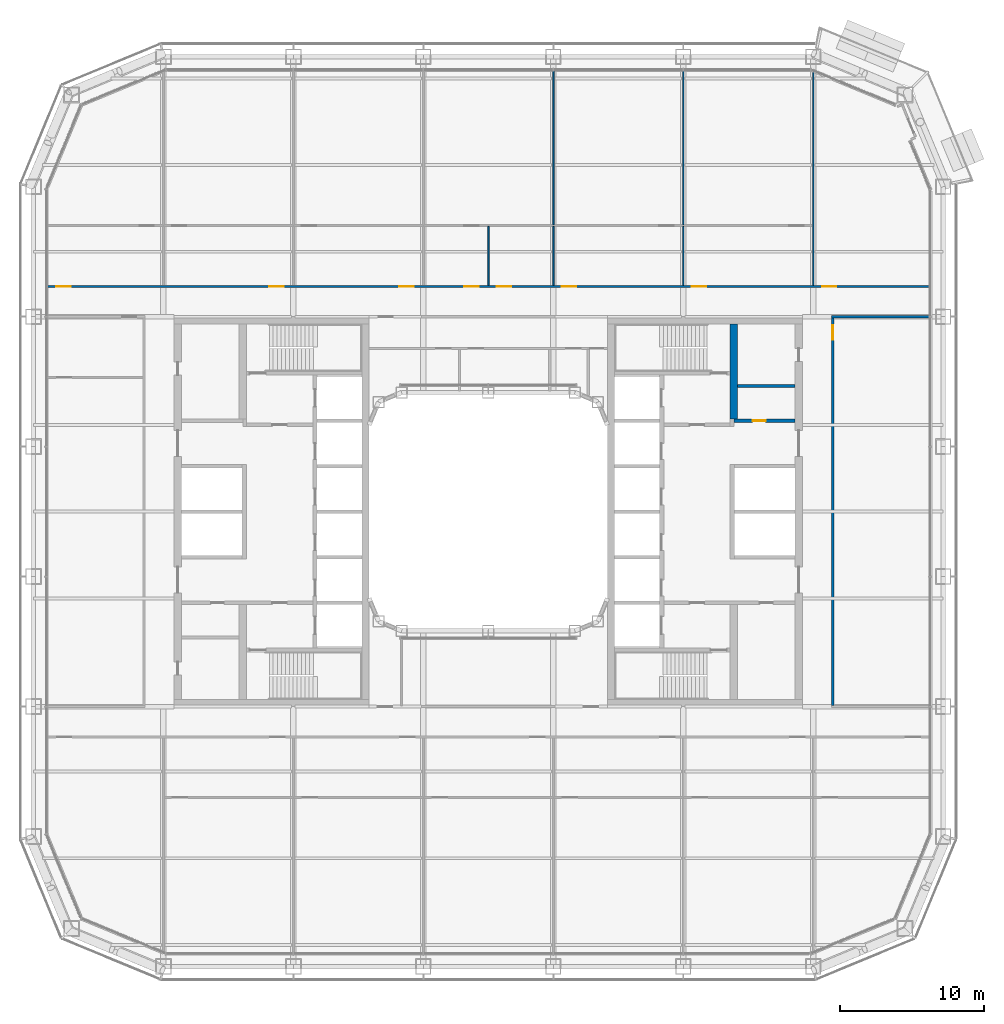
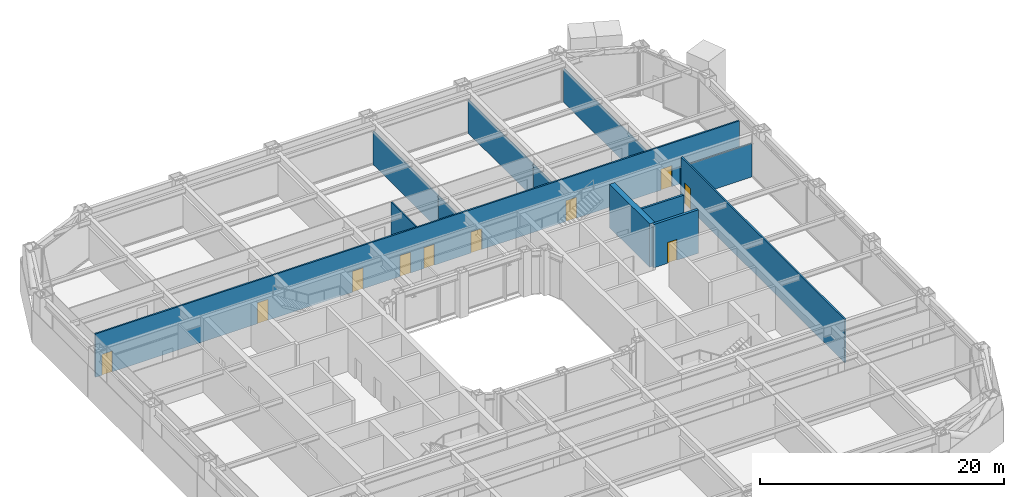
# One storey, part 16 of 30: 12 walls, 10 doors, 10 openings.
"""IFC4 building model written with IfcOpenShell, lengths in metres."""

from ifc_helpers import new_model, si_unit, direction, frame, frame_2d, origin, place, context, subcontext, project, spatial, rectangle, extrude, material, layer, layer_set, type_object, element, fill, save


model = new_model("IFC4")

# Units and contexts
model_context = context("Model", 3, precision=1e-05, world=origin(), true_north=direction((0.0, 1.0)))
body_context = subcontext(model_context, "Body", "Model", "MODEL_VIEW")
ifc_project = project(units=[si_unit("LENGTHUNIT", "METRE"), si_unit("AREAUNIT", "SQUARE_METRE"), si_unit("VOLUMEUNIT", "CUBIC_METRE"), si_unit("PLANEANGLEUNIT", "RADIAN"), si_unit("MASSUNIT", "GRAM", prefix="KILO")], contexts=[model_context])

# Site, building, storey
site_placement = place(None, origin())
site = spatial("IfcSite", under=ifc_project, at=site_placement, CompositionType="ELEMENT")
building_placement = place(site_placement, origin())
building = spatial("IfcBuilding", under=site, at=building_placement, Name="Siwar Civic Tower", CompositionType="ELEMENT")
storey_placement = place(building_placement, frame((0.0, 0.0, 26.699951171875)))
storey = spatial("IfcBuildingStorey", under=building, at=storey_placement, Name="L05", CompositionType="ELEMENT", Elevation=26.699951171875)

# Wall
ifc_material_1 = material(Name="Gypsum board on steel studs", Category="steel")
ifc_layer_1 = layer(ifc_material_1, 0.199951171875)
ifc_layer_set_1 = layer_set([ifc_layer_1], Name="Gypsum board on steel studs")
wall_type_1 = type_object("IfcWallType", Name="CORE-PARTITION-200", PredefinedType="PARTITIONING", material=ifc_layer_set_1)
wall_1_placement = place(storey_placement, frame((17.25, 8.699951171875, 0.0), z_axis=(0.0, 0.0, 1.0), x_axis=(1.0, 0.0, 0.0)))
element("IfcWall", 1, at=wall_1_placement, inside=storey, type_object=wall_type_1, Name="Core partition E", PredefinedType="PARTITIONING", context=body_context, shape_type="SweptSolid", body=[
    extrude(rectangle(XDim=4.0, YDim=0.199951171875, at=frame_2d((2.0, 0.0))), origin(), (0.0, 0.0, 1.0), 4.35009765625),
])

# Wall, opening, door
ifc_material_2 = material(Name="Concrete C60/75", Category="concrete")
ifc_layer_2 = layer(ifc_material_2, 0.25)
ifc_layer_set_2 = layer_set([ifc_layer_2], Name="Concrete C60/75")
wall_type_2 = type_object("IfcWallType", Name="CORE-WALL-RC250", PredefinedType="SHEAR", material=ifc_layer_set_2)
wall_2_placement = place(storey_placement, frame((17.0, 6.300048828125, 0.0), z_axis=(0.0, 0.0, 1.0), x_axis=(1.0, 0.0, 0.0)))
wall_2 = element("IfcWall", 2, at=wall_2_placement, inside=storey, type_object=wall_type_2, Name="Core wall E", PredefinedType="SHEAR", context=body_context, shape_type="SweptSolid", body=[
    extrude(rectangle(XDim=4.25, YDim=0.25, at=frame_2d((2.125, 0.0))), origin(), (0.0, 0.0, 1.0), 4.35009765625),
])
opening_1_placement = place(wall_2_placement, frame((1.300048828125, 0.0, 0.0)))
opening_1 = element("IfcOpeningElement", 3, at=opening_1_placement, cuts=wall_2, Name="Opening L05-CE13", PredefinedType="OPENING", context=body_context, shape_type="SweptSolid", body=[
    extrude(rectangle(XDim=0.89990234375, YDim=2.10009765625, at=frame_2d((0.449951171875, 1.050048828125))), frame((0.0, 0.135009765625, 0.0), z_axis=(0.0, -1.0, 0.0), x_axis=(1.0, 0.0, 0.0)), (0.0, 0.0, 1.0), 0.27001953125),
])
ifc_material_3 = material(Name="Steel door leaf", Category="steel")
door_type_1 = type_object("IfcDoorType", Name="CORE-DOOR-ROOM", OperationType="SINGLE_SWING_LEFT", PredefinedType="DOOR", material=ifc_material_3)
door_1_placement = place(opening_1_placement, origin())
door_1 = element("IfcDoor", 4, at=door_1_placement, inside=storey, type_object=door_type_1, Name="Core room door L05-CE13", OperationType="SINGLE_SWING_RIGHT", OverallHeight=2.10009765625, OverallWidth=0.89990234375, PredefinedType="DOOR", context=body_context, shape_type="SweptSolid", body=[
    extrude(rectangle(XDim=0.89990234375, YDim=2.10009765625, at=frame_2d((0.449951171875, 1.050048828125))), frame((0.0, 0.02490234375, 0.0), z_axis=(0.0, -1.0, 0.0), x_axis=(1.0, 0.0, 0.0)), (0.0, 0.0, 1.0), 0.050048828125),
])
fill(opening_1, door_1)

# Walls
ifc_material_4 = material(Name="Concrete C60/75", Category="concrete")
ifc_layer_3 = layer(ifc_material_4, 0.5)
ifc_layer_set_3 = layer_set([ifc_layer_3], Name="Concrete C60/75")
wall_type_3 = type_object("IfcWallType", Name="CORE-WALL-RC500", PredefinedType="SHEAR", material=ifc_layer_set_3)
wall_3_placement = place(storey_placement, frame((17.0, 6.425048828125, 0.0), z_axis=(0.0, 0.0, 1.0), x_axis=(0.0, 1.0, 0.0)))
element("IfcWall", 5, at=wall_3_placement, inside=storey, type_object=wall_type_3, Name="Core wall E", PredefinedType="SHEAR", context=body_context, shape_type="SweptSolid", body=[
    extrude(rectangle(XDim=6.574951171875, YDim=0.5, at=frame_2d((3.28759765625, 0.0))), origin(), (0.0, 0.0, 1.0), 4.35009765625),
])
ifc_material_5 = material(Name="Gypsum board on steel studs", Category="steel")
ifc_layer_4 = layer(ifc_material_5, 0.14990234375)
ifc_layer_set_4 = layer_set([ifc_layer_4], Name="Gypsum board on steel studs")
wall_type_4 = type_object("IfcWallType", Name="CORRIDOR PARTITION 150 EI 30", PredefinedType="PARTITIONING", material=ifc_layer_set_4)
wall_4_placement = place(storey_placement, frame((23.77490234375, 13.5, 0.0), z_axis=(0.0, 0.0, 1.0), x_axis=(1.0, 0.0, 0.0)))
element("IfcWall", 6, at=wall_4_placement, inside=storey, type_object=wall_type_4, Name="L05/wall/P11", PredefinedType="PARTITIONING", context=body_context, shape_type="SweptSolid", body=[
    extrude(rectangle(XDim=6.735107421875, YDim=0.14990234375, at=frame_2d((3.36767578125, 0.0))), origin(), (0.0, 0.0, 1.0), 3.35009765625),
])

# Wall, openings, doors
wall_5_placement = place(storey_placement, frame((-30.510009765625, 15.60009765625, 0.0), z_axis=(0.0, 0.0, 1.0), x_axis=(1.0, 0.0, 0.0)))
wall_5 = element("IfcWall", 7, at=wall_5_placement, inside=storey, type_object=wall_type_4, Name="L05/wall/P12", PredefinedType="PARTITIONING", context=body_context, shape_type="SweptSolid", body=[
    extrude(rectangle(XDim=61.02001953125, YDim=0.14990234375, at=frame_2d((30.510009765625, 0.0))), origin(), (0.0, 0.0, 1.0), 4.35009765625),
])
opening_2_placement = place(wall_5_placement, frame((15.360107421875, 0.0, 0.0)))
opening_2 = element("IfcOpeningElement", 8, at=opening_2_placement, cuts=wall_5, Name="Opening D1", PredefinedType="OPENING", context=body_context, shape_type="SweptSolid", body=[
    extrude(rectangle(XDim=1.0, YDim=2.10009765625, at=frame_2d((0.5, 1.050048828125))), frame((0.0, 0.0849609375, 0.0), z_axis=(0.0, -1.0, 0.0), x_axis=(1.0, 0.0, 0.0)), (0.0, 0.0, 1.0), 0.169921875),
])
opening_3_placement = place(wall_5_placement, frame((24.360107421875, 0.0, 0.0)))
opening_3 = element("IfcOpeningElement", 9, at=opening_3_placement, cuts=wall_5, Name="Opening D1", PredefinedType="OPENING", context=body_context, shape_type="SweptSolid", body=[
    extrude(rectangle(XDim=1.0, YDim=2.10009765625, at=frame_2d((0.5, 1.050048828125))), frame((0.0, 0.0849609375, 0.0), z_axis=(0.0, -1.0, 0.0), x_axis=(1.0, 0.0, 0.0)), (0.0, 0.0, 1.0), 0.169921875),
])
opening_4_placement = place(wall_5_placement, frame((28.860107421875, 0.0, 0.0)))
opening_4 = element("IfcOpeningElement", 10, at=opening_4_placement, cuts=wall_5, Name="Opening D1", PredefinedType="OPENING", context=body_context, shape_type="SweptSolid", body=[
    extrude(rectangle(XDim=1.0, YDim=2.10009765625, at=frame_2d((0.5, 1.050048828125))), frame((0.0, 0.0849609375, 0.0), z_axis=(0.0, -1.0, 0.0), x_axis=(1.0, 0.0, 0.0)), (0.0, 0.0, 1.0), 0.169921875),
])
opening_5_placement = place(wall_5_placement, frame((31.110107421875, 0.0, 0.0)))
opening_5 = element("IfcOpeningElement", 11, at=opening_5_placement, cuts=wall_5, Name="Opening D1", PredefinedType="OPENING", context=body_context, shape_type="SweptSolid", body=[
    extrude(rectangle(XDim=1.0, YDim=2.10009765625, at=frame_2d((0.5, 1.050048828125))), frame((0.0, 0.0849609375, 0.0), z_axis=(0.0, -1.0, 0.0), x_axis=(1.0, 0.0, 0.0)), (0.0, 0.0, 1.0), 0.169921875),
])
opening_6_placement = place(wall_5_placement, frame((35.610107421875, 0.0, 0.0)))
opening_6 = element("IfcOpeningElement", 12, at=opening_6_placement, cuts=wall_5, Name="Opening D1", PredefinedType="OPENING", context=body_context, shape_type="SweptSolid", body=[
    extrude(rectangle(XDim=1.0, YDim=2.10009765625, at=frame_2d((0.5, 1.050048828125))), frame((0.0, 0.0849609375, 0.0), z_axis=(0.0, -1.0, 0.0), x_axis=(1.0, 0.0, 0.0)), (0.0, 0.0, 1.0), 0.169921875),
])
opening_7_placement = place(wall_5_placement, frame((44.610107421875, 0.0, 0.0)))
opening_7 = element("IfcOpeningElement", 13, at=opening_7_placement, cuts=wall_5, Name="Opening D1", PredefinedType="OPENING", context=body_context, shape_type="SweptSolid", body=[
    extrude(rectangle(XDim=1.0, YDim=2.10009765625, at=frame_2d((0.5, 1.050048828125))), frame((0.0, 0.0849609375, 0.0), z_axis=(0.0, -1.0, 0.0), x_axis=(1.0, 0.0, 0.0)), (0.0, 0.0, 1.0), 0.169921875),
])
opening_8_placement = place(wall_5_placement, frame((0.610107421875, 0.0, 0.0)))
opening_8 = element("IfcOpeningElement", 14, at=opening_8_placement, cuts=wall_5, Name="Opening D1", PredefinedType="OPENING", context=body_context, shape_type="SweptSolid", body=[
    extrude(rectangle(XDim=1.0, YDim=2.10009765625, at=frame_2d((0.5, 1.050048828125))), frame((0.0, 0.0849609375, 0.0), z_axis=(0.0, -1.0, 0.0), x_axis=(1.0, 0.0, 0.0)), (0.0, 0.0, 1.0), 0.169921875),
])
opening_9_placement = place(wall_5_placement, frame((53.6201171875, 0.0, 0.0)))
opening_9 = element("IfcOpeningElement", 15, at=opening_9_placement, cuts=wall_5, Name="Opening D1", PredefinedType="OPENING", context=body_context, shape_type="SweptSolid", body=[
    extrude(rectangle(XDim=1.0, YDim=2.10009765625, at=frame_2d((0.5, 1.050048828125))), frame((0.0, 0.0849609375, 0.0), z_axis=(0.0, -1.0, 0.0), x_axis=(1.0, 0.0, 0.0)), (0.0, 0.0, 1.0), 0.169921875),
])
ifc_material_6 = material(Name="Timber, painted", Category="wood")
door_type_2 = type_object("IfcDoorType", Name="DOOR 1000 X 2100 FD30", OperationType="SINGLE_SWING_LEFT", PredefinedType="DOOR", material=ifc_material_6)
door_2_placement = place(opening_2_placement, origin())
door_2 = element("IfcDoor", 16, at=door_2_placement, inside=storey, type_object=door_type_2, Name="L05-D01", OperationType="SINGLE_SWING_LEFT", OverallHeight=2.10009765625, OverallWidth=1.0, PredefinedType="DOOR", context=body_context, shape_type="SweptSolid", body=[
    extrude(rectangle(XDim=1.0, YDim=2.10009765625, at=frame_2d((0.5, 1.050048828125))), frame((0.0, 0.02490234375, 0.0), z_axis=(0.0, -1.0, 0.0), x_axis=(1.0, 0.0, 0.0)), (0.0, 0.0, 1.0), 0.050048828125),
])
fill(opening_2, door_2)
door_3_placement = place(opening_3_placement, origin())
door_3 = element("IfcDoor", 17, at=door_3_placement, inside=storey, type_object=door_type_2, Name="L05-D03", OperationType="SINGLE_SWING_LEFT", OverallHeight=2.10009765625, OverallWidth=1.0, PredefinedType="DOOR", context=body_context, shape_type="SweptSolid", body=[
    extrude(rectangle(XDim=1.0, YDim=2.10009765625, at=frame_2d((0.5, 1.050048828125))), frame((0.0, 0.02490234375, 0.0), z_axis=(0.0, -1.0, 0.0), x_axis=(1.0, 0.0, 0.0)), (0.0, 0.0, 1.0), 0.050048828125),
])
fill(opening_3, door_3)
door_4_placement = place(opening_4_placement, origin())
door_4 = element("IfcDoor", 18, at=door_4_placement, inside=storey, type_object=door_type_2, Name="L05-D05", OperationType="SINGLE_SWING_LEFT", OverallHeight=2.10009765625, OverallWidth=1.0, PredefinedType="DOOR", context=body_context, shape_type="SweptSolid", body=[
    extrude(rectangle(XDim=1.0, YDim=2.10009765625, at=frame_2d((0.5, 1.050048828125))), frame((0.0, 0.02490234375, 0.0), z_axis=(0.0, -1.0, 0.0), x_axis=(1.0, 0.0, 0.0)), (0.0, 0.0, 1.0), 0.050048828125),
])
fill(opening_4, door_4)
door_5_placement = place(opening_5_placement, origin())
door_5 = element("IfcDoor", 19, at=door_5_placement, inside=storey, type_object=door_type_2, Name="L05-D06", OperationType="SINGLE_SWING_RIGHT", OverallHeight=2.10009765625, OverallWidth=1.0, PredefinedType="DOOR", context=body_context, shape_type="SweptSolid", body=[
    extrude(rectangle(XDim=1.0, YDim=2.10009765625, at=frame_2d((0.5, 1.050048828125))), frame((0.0, 0.02490234375, 0.0), z_axis=(0.0, -1.0, 0.0), x_axis=(1.0, 0.0, 0.0)), (0.0, 0.0, 1.0), 0.050048828125),
])
fill(opening_5, door_5)
door_6_placement = place(opening_6_placement, origin())
door_6 = element("IfcDoor", 20, at=door_6_placement, inside=storey, type_object=door_type_2, Name="L05-D08", OperationType="SINGLE_SWING_RIGHT", OverallHeight=2.10009765625, OverallWidth=1.0, PredefinedType="DOOR", context=body_context, shape_type="SweptSolid", body=[
    extrude(rectangle(XDim=1.0, YDim=2.10009765625, at=frame_2d((0.5, 1.050048828125))), frame((0.0, 0.02490234375, 0.0), z_axis=(0.0, -1.0, 0.0), x_axis=(1.0, 0.0, 0.0)), (0.0, 0.0, 1.0), 0.050048828125),
])
fill(opening_6, door_6)
door_7_placement = place(opening_7_placement, origin())
door_7 = element("IfcDoor", 21, at=door_7_placement, inside=storey, type_object=door_type_2, Name="L05-D10", OperationType="SINGLE_SWING_RIGHT", OverallHeight=2.10009765625, OverallWidth=1.0, PredefinedType="DOOR", context=body_context, shape_type="SweptSolid", body=[
    extrude(rectangle(XDim=1.0, YDim=2.10009765625, at=frame_2d((0.5, 1.050048828125))), frame((0.0, 0.02490234375, 0.0), z_axis=(0.0, -1.0, 0.0), x_axis=(1.0, 0.0, 0.0)), (0.0, 0.0, 1.0), 0.050048828125),
])
fill(opening_7, door_7)
door_8_placement = place(opening_8_placement, origin())
door_8 = element("IfcDoor", 22, at=door_8_placement, inside=storey, type_object=door_type_2, Name="L05-D22", OperationType="SINGLE_SWING_RIGHT", OverallHeight=2.10009765625, OverallWidth=1.0, PredefinedType="DOOR", context=body_context, shape_type="SweptSolid", body=[
    extrude(rectangle(XDim=1.0, YDim=2.10009765625, at=frame_2d((0.5, 1.050048828125))), frame((0.0, 0.02490234375, 0.0), z_axis=(0.0, -1.0, 0.0), x_axis=(1.0, 0.0, 0.0)), (0.0, 0.0, 1.0), 0.050048828125),
])
fill(opening_8, door_8)
door_9_placement = place(opening_9_placement, origin())
door_9 = element("IfcDoor", 23, at=door_9_placement, inside=storey, type_object=door_type_2, Name="L05-D24", OperationType="SINGLE_SWING_RIGHT", OverallHeight=2.10009765625, OverallWidth=1.0, PredefinedType="DOOR", context=body_context, shape_type="SweptSolid", body=[
    extrude(rectangle(XDim=1.0, YDim=2.10009765625, at=frame_2d((0.5, 1.050048828125))), frame((0.0, 0.02490234375, 0.0), z_axis=(0.0, -1.0, 0.0), x_axis=(1.0, 0.0, 0.0)), (0.0, 0.0, 1.0), 0.050048828125),
])
fill(opening_9, door_9)

# Wall, opening, door
wall_6_placement = place(storey_placement, frame((23.85009765625, -13.425048828125, 0.0), z_axis=(0.0, 0.0, 1.0), x_axis=(0.0, 1.0, 0.0)))
wall_6 = element("IfcWall", 24, at=wall_6_placement, inside=storey, type_object=wall_type_4, Name="L05/wall/P42", PredefinedType="PARTITIONING", context=body_context, shape_type="SweptSolid", body=[
    extrude(rectangle(XDim=26.85009765625, YDim=0.14990234375, at=frame_2d((13.425048828125, 0.0))), origin(), (0.0, 0.0, 1.0), 4.35009765625),
])
opening_10_placement = place(wall_6_placement, frame((25.324951171875, 0.0, 0.0)))
opening_10 = element("IfcOpeningElement", 25, at=opening_10_placement, cuts=wall_6, Name="Opening D1", PredefinedType="OPENING", context=body_context, shape_type="SweptSolid", body=[
    extrude(rectangle(XDim=1.0, YDim=2.10009765625, at=frame_2d((0.5, 1.050048828125))), frame((0.0, 0.0849609375, 0.0), z_axis=(0.0, -1.0, 0.0), x_axis=(1.0, 0.0, 0.0)), (0.0, 0.0, 1.0), 0.169921875),
])
door_10_placement = place(opening_10_placement, origin())
door_10 = element("IfcDoor", 26, at=door_10_placement, inside=storey, type_object=door_type_2, Name="L05-D30", OperationType="SINGLE_SWING_RIGHT", OverallHeight=2.10009765625, OverallWidth=1.0, PredefinedType="DOOR", context=body_context, shape_type="SweptSolid", body=[
    extrude(rectangle(XDim=1.0, YDim=2.10009765625, at=frame_2d((0.5, 1.050048828125))), frame((0.0, 0.02490234375, 0.0), z_axis=(0.0, -1.0, 0.0), x_axis=(1.0, 0.0, 0.0)), (0.0, 0.0, 1.0), 0.050048828125),
])
fill(opening_10, door_10)

# Walls
ifc_material_7 = material(Name="Gypsum board on steel studs", Category="steel")
ifc_layer_5 = layer(ifc_material_7, 0.10009765625)
ifc_layer_set_5 = layer_set([ifc_layer_5], Name="Gypsum board on steel studs")
wall_type_5 = type_object("IfcWallType", Name="PARTITION 100 GYPSUM", PredefinedType="PARTITIONING", material=ifc_layer_set_5)
wall_7_placement = place(storey_placement, frame((0.0, 15.675048828125, 0.0), z_axis=(0.0, 0.0, 1.0), x_axis=(0.0, 1.0, 0.0)))
element("IfcWall", 27, at=wall_7_placement, inside=storey, type_object=wall_type_5, Name="L05/wall/P28", PredefinedType="PARTITIONING", context=body_context, shape_type="SweptSolid", body=[
    extrude(rectangle(XDim=4.074951171875, YDim=0.10009765625, at=frame_2d((2.03759765625, 0.0))), origin(), (0.0, 0.0, 1.0), 4.35009765625),
])
wall_8_placement = place(storey_placement, frame((4.5, 15.675048828125, 0.0), z_axis=(0.0, 0.0, 1.0), x_axis=(0.0, 1.0, 0.0)))
element("IfcWall", 28, at=wall_8_placement, inside=storey, type_object=wall_type_5, Name="L05/wall/P32", PredefinedType="PARTITIONING", context=body_context, shape_type="SweptSolid", body=[
    extrude(rectangle(XDim=4.074951171875, YDim=0.10009765625, at=frame_2d((2.03759765625, 0.0))), origin(), (0.0, 0.0, 1.0), 3.35009765625),
])
wall_9_placement = place(storey_placement, frame((4.5, 19.85009765625, 0.0), z_axis=(0.0, 0.0, 1.0), x_axis=(0.0, 1.0, 0.0)))
element("IfcWall", 29, at=wall_9_placement, inside=storey, type_object=wall_type_5, Name="L05/wall/P33", PredefinedType="PARTITIONING", context=body_context, shape_type="SweptSolid", body=[
    extrude(rectangle(XDim=10.659912109375, YDim=0.10009765625, at=frame_2d((5.330078125, 0.0))), origin(), (0.0, 0.0, 1.0), 3.35009765625),
])
wall_10_placement = place(storey_placement, frame((13.5, 15.675048828125, 0.0), z_axis=(0.0, 0.0, 1.0), x_axis=(0.0, 1.0, 0.0)))
element("IfcWall", 30, at=wall_10_placement, inside=storey, type_object=wall_type_5, Name="L05/wall/P37", PredefinedType="PARTITIONING", context=body_context, shape_type="SweptSolid", body=[
    extrude(rectangle(XDim=4.074951171875, YDim=0.10009765625, at=frame_2d((2.03759765625, 0.0))), origin(), (0.0, 0.0, 1.0), 3.35009765625),
])
wall_11_placement = place(storey_placement, frame((13.5, 19.85009765625, 0.0), z_axis=(0.0, 0.0, 1.0), x_axis=(0.0, 1.0, 0.0)))
element("IfcWall", 31, at=wall_11_placement, inside=storey, type_object=wall_type_5, Name="L05/wall/P38", PredefinedType="PARTITIONING", context=body_context, shape_type="SweptSolid", body=[
    extrude(rectangle(XDim=10.659912109375, YDim=0.10009765625, at=frame_2d((5.330078125, 0.0))), origin(), (0.0, 0.0, 1.0), 3.35009765625),
])
wall_12_placement = place(storey_placement, frame((22.5, 15.675048828125, 0.0), z_axis=(0.0, 0.0, 1.0), x_axis=(0.0, 1.0, 0.0)))
element("IfcWall", 32, at=wall_12_placement, inside=storey, type_object=wall_type_5, Name="L05/wall/P41", PredefinedType="PARTITIONING", context=body_context, shape_type="SweptSolid", body=[
    extrude(rectangle(XDim=14.7529296875, YDim=0.10009765625, at=frame_2d((7.37646484375, 0.0))), origin(), (0.0, 0.0, 1.0), 3.35009765625),
])

save(model, "model.ifc")
